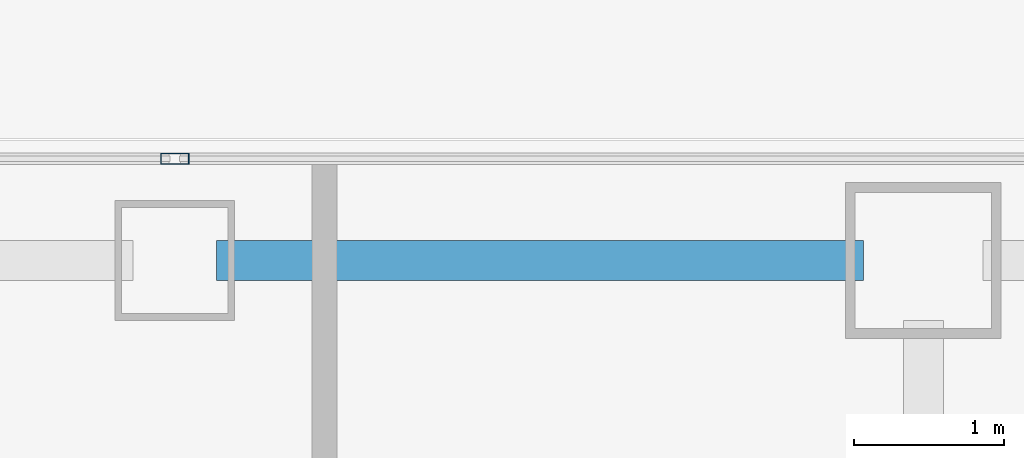
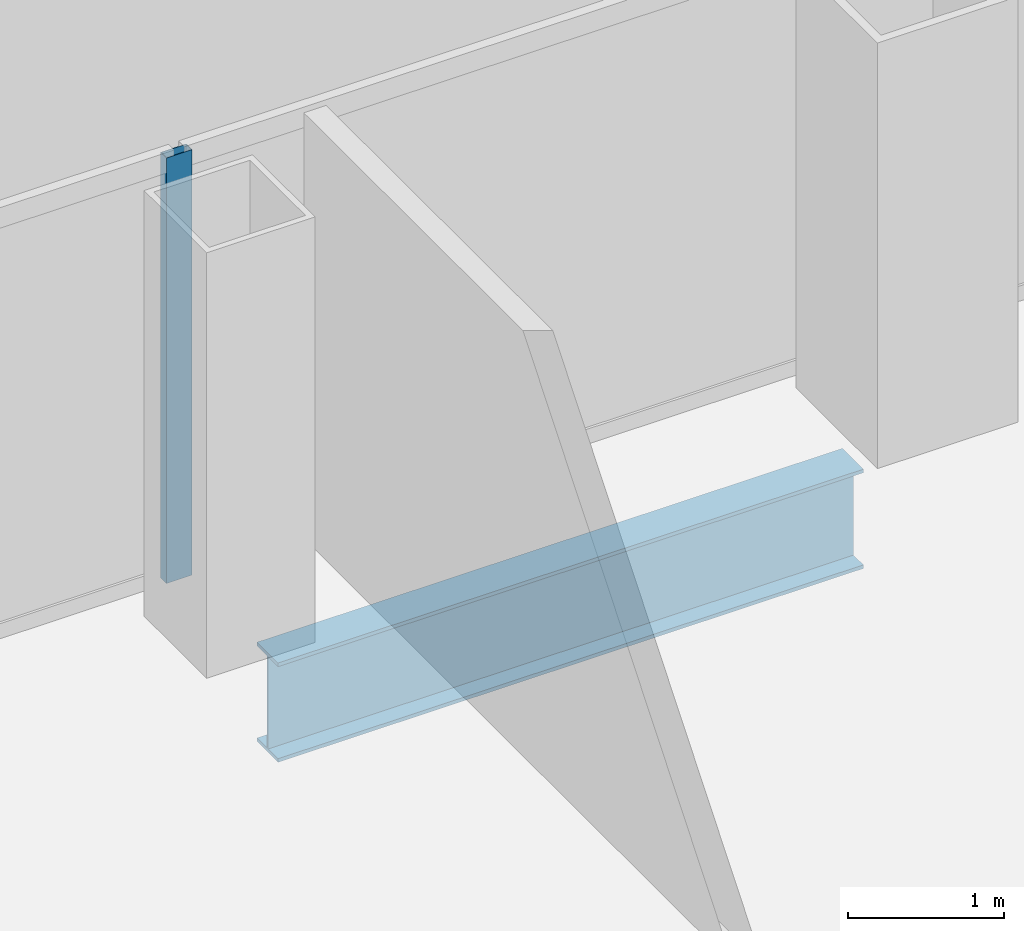
# One storey, part 13 of 22: 1 beam, 1 member, 1 element without a shape of its own.
"""IFC4 building model written with IfcOpenShell, lengths in metres."""

from ifc_helpers import new_model, si_unit, direction, frame, origin, origin_2d, place, context, subcontext, project, spatial, hollow_rectangle, i_section, extrude, source, transform, mapped, material, layer, layer_set, material_profile, profile_set, type_object, element, aggregate, save


model = new_model("IFC4")

# Units and contexts
model_context = context("Model", 3, precision=1e-05, world=origin(), true_north=direction((0.0, 1.0)))
body_context = subcontext(model_context, "Body", "Model", "MODEL_VIEW")
ifc_project = project(units=[si_unit("LENGTHUNIT", "METRE"), si_unit("AREAUNIT", "SQUARE_METRE"), si_unit("VOLUMEUNIT", "CUBIC_METRE"), si_unit("PLANEANGLEUNIT", "RADIAN"), si_unit("MASSUNIT", "GRAM", prefix="KILO")], contexts=[model_context])

# Site, building, storey
site_placement = place(None, origin())
site = spatial("IfcSite", under=ifc_project, at=site_placement, CompositionType="ELEMENT")
building_placement = place(site_placement, origin())
building = spatial("IfcBuilding", under=site, at=building_placement, Name="Kolveth Station Tower", CompositionType="ELEMENT")
storey_placement = place(building_placement, frame((0.0, 0.0, 69.300048828125)))
storey = spatial("IfcBuildingStorey", under=building, at=storey_placement, Name="L18", CompositionType="ELEMENT", Elevation=69.300048828125)

# Beam
ifc_material_1 = material(Name="Steel S355", Category="steel")
ifc_material_profile_1 = material_profile(ifc_material_1, i_section(OverallWidth=0.26904296875, OverallDepth=0.77490234375, WebThickness=0.01708984375, FlangeThickness=0.0283203125, at=origin_2d()), Name="W760x220")
ifc_profile_set_1 = profile_set([ifc_material_profile_1], Name="Steel S355")
beam_type = type_object("IfcBeamType", Name="Beam_SP1", PredefinedType="SPANDREL", material=ifc_profile_set_1)
shared_shape_1 = source(origin(), body_context, "Body", "SweptSolid", [
    extrude(i_section(OverallWidth=0.26904296875, OverallDepth=0.77490234375, WebThickness=0.01708984375, FlangeThickness=0.0283203125, at=origin_2d()), origin(), (0.0, 0.0, 1.0), 4.320068359375),
])
beam_placement = place(storey_placement, frame((23.780029296875, 39.699951171875, -0.66748046875), z_axis=(1.0, 0.0, 0.0), x_axis=(0.0, 1.0, 0.0)))
element("IfcBeam", 1, at=beam_placement, inside=storey, type_object=beam_type, Name="L18 Perimeter Spandrel BM-L18-PN-6", PredefinedType="SPANDREL", context=body_context, shape_type="MappedRepresentation", body=[
    mapped(shared_shape_1, transform((0.0, 0.0, 0.0), x_axis=(1.0, 0.0, 0.0), y_axis=(0.0, 1.0, 0.0), z_axis=(0.0, 0.0, 1.0), scale=1.0)),
])

# Curtain wall, member
ifc_material_2 = material(Name="Aluminium 6063-T6 and low-E dark glass", Category="aluminium")
ifc_layer = layer(ifc_material_2, 0.179931640625)
ifc_layer_set = layer_set([ifc_layer], Name="Aluminium 6063-T6 and low-E dark glass")
curtain_wall_type = type_object("IfcCurtainWallType", Name="CurtainWall_CW-Z1", PredefinedType="NOTDEFINED", material=ifc_layer_set)
curtain_wall_placement = place(storey_placement, origin())
curtain_wall = element("IfcCurtainWall", 2, at=curtain_wall_placement, inside=storey, type_object=curtain_wall_type, Name="L18 Inner Thermal Curtain Wall 6", PredefinedType="NOTDEFINED")
ifc_material_3 = material(Name="Black anodized aluminium 6063-T6", Category="aluminium")
ifc_material_profile_2 = material_profile(ifc_material_3, hollow_rectangle(XDim=0.074951171875, YDim=0.18994140625, WallThickness=0.0048828125, at=origin_2d()), Name="ALU-75x190x5")
ifc_profile_set_2 = profile_set([ifc_material_profile_2], Name="Black anodized aluminium 6063-T6")
member_type = type_object("IfcMemberType", Name="Mullion_ML1", PredefinedType="MULLION", material=ifc_profile_set_2)
shared_shape_2 = source(origin(), body_context, "Body", "SweptSolid", [
    extrude(hollow_rectangle(XDim=0.074951171875, YDim=0.18994140625, WallThickness=0.0048828125, at=origin_2d()), origin(), (0.0, 0.0, 1.0), 3.320068359375),
])
member_placement = place(storey_placement, frame((23.5, 40.3798828125, 0.0), z_axis=(0.0, 0.0, 1.0), x_axis=(0.0, -1.0, 0.0)))
member = element("IfcMember", 3, at=member_placement, type_object=member_type, Name="CW-Z1 mullion 2", PredefinedType="MULLION", context=body_context, shape_type="MappedRepresentation", body=[
    mapped(shared_shape_2, transform((0.0, 0.0, 0.0), x_axis=(1.0, 0.0, 0.0), y_axis=(0.0, 1.0, 0.0), z_axis=(0.0, 0.0, 1.0), scale=1.0)),
])
aggregate(curtain_wall, [member])

save(model, "model.ifc")
